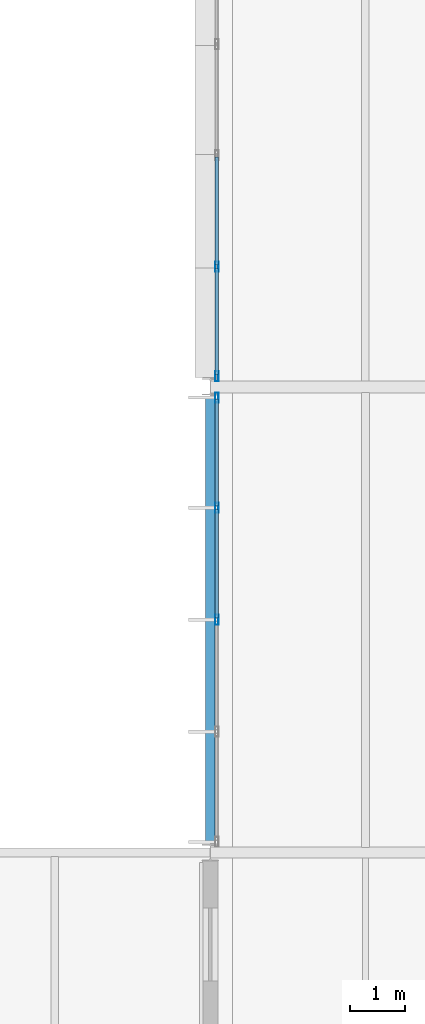
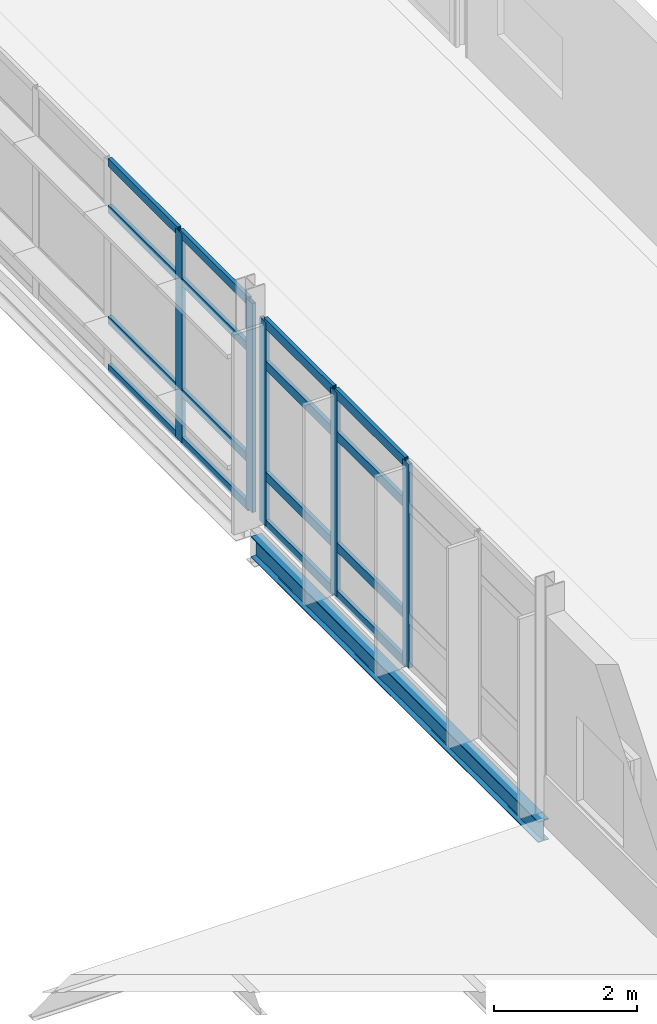
# One storey, part 32 of 66: 21 members, 1 beam, 2 elements without a shape of their own.
"""IFC4 building model written with IfcOpenShell, lengths in metres."""

import ifcopenshell
import ifcopenshell.guid

model = None  # the IFC model being written
_history = None  # IfcOwnerHistory: only IFC2X3 demands one
_inside = {}  # id of a spatial element -> (the spatial element, [elements in it])
_under = {}  # id of a project, library or spatial element -> (it, [spatial elements below it])
_declared = {}  # id of a project -> (the project, [libraries it declares])
_typed = {}  # id of a type object -> (the type object, [elements of that type])
_made_of = {}  # id of a material, layer set ... -> (it, [elements and type objects made of it])


def new_model(schema):
    """Start an empty IFC model of exactly this schema.

    Asked for "IFC4X3", IfcOpenShell would pick the latest addendum, in which some entities
    have other attributes; the version numbers below select the first issue.
    IFC2X3 requires an IfcOwnerHistory on every rooted entity: one is made here for all.
    """
    global model, _history
    if schema == "IFC4X3":
        model = ifcopenshell.file(schema_version=(4, 3, 0, 0))
    else:
        model = ifcopenshell.file(schema=schema)
    _inside.clear()
    _under.clear()
    _declared.clear()
    _typed.clear()
    _made_of.clear()
    _history = None
    if model.schema == "IFC2X3":
        org = make("IfcOrganization", Name="unknown")
        user = make(
            "IfcPersonAndOrganization",
            ThePerson=make("IfcPerson", FamilyName="unknown"),
            TheOrganization=org,
        )
        app = make(
            "IfcApplication",
            ApplicationDeveloper=org,
            Version="unknown",
            ApplicationFullName="unknown",
            ApplicationIdentifier="unknown",
        )
        _history = make(
            "IfcOwnerHistory",
            OwningUser=user,
            OwningApplication=app,
            ChangeAction="ADDED",
            CreationDate=0,
        )
    return model


def make(cls, **values):
    """One entity of the class cls with the attributes given. An attribute that is None is left unset."""
    return model.create_entity(
        cls, **{name: value for name, value in values.items() if value is not None}
    )


def rooted(cls, **values):
    """An entity with a GlobalId (a new one), such as an element, a storey or a relation."""
    return make(cls, GlobalId=ifcopenshell.guid.new(), OwnerHistory=_history, **values)


def si_unit(unit_type, name, prefix=None):
    """IfcSIUnit, for example si_unit("LENGTHUNIT", "METRE", prefix="MILLI")."""
    return make("IfcSIUnit", UnitType=unit_type, Prefix=prefix, Name=name)


def assignment(units):
    """IfcUnitAssignment: the units of a project."""
    return None if units is None else make("IfcUnitAssignment", Units=units)


def point(xyz):
    """IfcCartesianPoint."""
    return None if xyz is None else make("IfcCartesianPoint", Coordinates=xyz)


def direction(xyz):
    """IfcDirection."""
    return None if xyz is None else make("IfcDirection", DirectionRatios=xyz)


def frame(location, z_axis=None, x_axis=None):
    """IfcAxis2Placement3D, a coordinate frame: its origin and axes. An axis left out is left unset."""
    return make(
        "IfcAxis2Placement3D",
        Location=point(location),
        Axis=direction(z_axis),
        RefDirection=direction(x_axis),
    )


def frame_2d(location, x_axis=None):
    """IfcAxis2Placement2D, a coordinate frame in the plane: its origin and x axis."""
    return make(
        "IfcAxis2Placement2D", Location=point(location), RefDirection=direction(x_axis)
    )


def origin():
    """The frame at (0, 0, 0) with its axes left unset."""
    return frame((0.0, 0.0, 0.0))


def origin_2d():
    """The frame at (0, 0) in the plane with its x axis left unset."""
    return frame_2d((0.0, 0.0))


def place(relative_to, where):
    """IfcLocalPlacement: puts the frame where relative to a parent placement (None: the world)."""
    return make(
        "IfcLocalPlacement", PlacementRelTo=relative_to, RelativePlacement=where
    )


def context(
    kind, dimensions, precision=None, world=None, true_north=None, identifier=None
):
    """IfcGeometricRepresentationContext, for example the 3D "Model" context."""
    return make(
        "IfcGeometricRepresentationContext",
        ContextIdentifier=identifier,
        ContextType=kind,
        CoordinateSpaceDimension=dimensions,
        Precision=precision,
        WorldCoordinateSystem=world,
        TrueNorth=true_north,
    )


def subcontext(parent, identifier, kind, view, scale=None):
    """IfcGeometricRepresentationSubContext, for example "Body" below "Model"."""
    return make(
        "IfcGeometricRepresentationSubContext",
        ContextIdentifier=identifier,
        ContextType=kind,
        ParentContext=parent,
        TargetScale=scale,
        TargetView=view,
    )


def project(units=None, contexts=None):
    """IfcProject with its units and contexts."""
    return rooted(
        "IfcProject",
        Name="project",
        RepresentationContexts=contexts,
        UnitsInContext=assignment(units),
    )


def spatial(cls, under=None, at=None, **own):
    """A site, building, storey or space (cls), placed at a placement, below another one or the project."""
    s = rooted(cls, ObjectPlacement=at, **own)
    if under is not None:
        _under.setdefault(under.id(), (under, []))[1].append(s)
    return s


def profile(cls, at=None, kind="AREA", **sizes):
    """A parametric profile (cls). Its sizes go by their IFC names, for example OverallWidth=200.0."""
    return make(cls, ProfileType=kind, Position=at, **sizes)


def hollow_rectangle(**sizes):
    """IfcRectangleHollowProfileDef."""
    return profile("IfcRectangleHollowProfileDef", **sizes)


def i_section(**sizes):
    """IfcIShapeProfileDef."""
    return profile("IfcIShapeProfileDef", **sizes)


def extrude(swept, where, along, depth):
    """IfcExtrudedAreaSolid: the profile swept, set in the frame where, extruded along a direction by depth."""
    return make(
        "IfcExtrudedAreaSolid",
        SweptArea=swept,
        Position=where,
        ExtrudedDirection=direction(along),
        Depth=depth,
    )


def shape(context_of_items, identifier, shape_type, items):
    """IfcShapeRepresentation: the items that make up one representation, for example the "Body"."""
    return make(
        "IfcShapeRepresentation",
        ContextOfItems=context_of_items,
        RepresentationIdentifier=identifier,
        RepresentationType=shape_type,
        Items=items,
    )


def material(Name=None, Category=None):
    """IfcMaterial."""
    return make("IfcMaterial", Name=Name, Category=Category)


def material_profile(
    of_material, cross_section, Name=None, Category=None, Priority=None
):
    """IfcMaterialProfile: a cross section and its material."""
    return make(
        "IfcMaterialProfile",
        Name=Name,
        Material=of_material,
        Profile=cross_section,
        Priority=Priority,
        Category=Category,
    )


def profile_set(profiles, Name=None, composite=None):
    """IfcMaterialProfileSet."""
    return make(
        "IfcMaterialProfileSet",
        Name=Name,
        MaterialProfiles=profiles,
        CompositeProfile=composite,
    )


def made_of(thing, what):
    """Note that an element or type object is made of a material, layer set ...; save() writes the relation."""
    if what is not None:
        _made_of.setdefault(what.id(), (what, []))[1].append(thing)
    return thing


def type_object(cls, material=None, **own):
    """A type object (cls), such as IfcWallType, which elements share."""
    return made_of(rooted(cls, **own), material)


def element(
    cls,
    number,
    at=None,
    inside=None,
    cuts=None,
    type_object=None,
    material=None,
    context=None,
    identifier="Body",
    shape_type=None,
    held_by="IfcProductDefinitionShape",
    body=None,
    shapes=None,
    **own,
):
    """One element of the class cls, such as IfcWall. Its Tag is "e" and its number.

    at: its placement. inside: the storey or other place that contains it. cuts: it is an
    opening in that element (IfcRelVoidsElement). A single representation is given by context,
    identifier, shape_type and body (its items); several are given by shapes. held_by: the class
    of the entity that holds the representations. save() writes the other relations.
    """
    e = rooted(cls, Tag="e%d" % number, ObjectPlacement=at, **own)
    if body is not None:
        shapes = [shape(context, identifier, shape_type, body)]
    if shapes is not None:
        e.Representation = make(held_by, Representations=shapes)
    if inside is not None:
        _inside.setdefault(inside.id(), (inside, []))[1].append(e)
    if cuts is not None:
        rooted(
            "IfcRelVoidsElement", RelatingBuildingElement=cuts, RelatedOpeningElement=e
        )
    if type_object is not None:
        _typed.setdefault(type_object.id(), (type_object, []))[1].append(e)
    return made_of(e, material)


def aggregate(whole, parts):
    """IfcRelAggregates: a whole, such as a stair, and the parts it consists of."""
    return rooted("IfcRelAggregates", RelatingObject=whole, RelatedObjects=parts)


def save(model, path):
    """Write the relations noted so far, then the file.

    IfcRelAggregates (storeys below a building ...), IfcRelContainedInSpatialStructure (elements
    in a storey), IfcRelDefinesByType, IfcRelAssociatesMaterial and IfcRelDeclares: one each for
    every whole, place, type object, material and project.
    """
    for whole, parts in _under.values():
        aggregate(whole, parts)
    for where, things in _inside.values():
        rooted(
            "IfcRelContainedInSpatialStructure",
            RelatedElements=things,
            RelatingStructure=where,
        )
    for kind, things in _typed.values():
        rooted("IfcRelDefinesByType", RelatedObjects=things, RelatingType=kind)
    for what, things in _made_of.values():
        rooted("IfcRelAssociatesMaterial", RelatedObjects=things, RelatingMaterial=what)
    for by, libraries in _declared.values():
        rooted("IfcRelDeclares", RelatingContext=by, RelatedDefinitions=libraries)
    model.write(path)


model = new_model("IFC4")

# Units and contexts
model_context = context("Model", 3, precision=1e-05, world=origin(), true_north=direction((0.0, 1.0)))
body_context = subcontext(model_context, "Body", "Model", "MODEL_VIEW")
ifc_project = project(units=[si_unit("LENGTHUNIT", "METRE"), si_unit("AREAUNIT", "SQUARE_METRE"), si_unit("VOLUMEUNIT", "CUBIC_METRE"), si_unit("PLANEANGLEUNIT", "RADIAN"), si_unit("MASSUNIT", "GRAM", prefix="KILO")], contexts=[model_context])

# Site, building, storey
site_placement = place(None, origin())
site = spatial("IfcSite", under=ifc_project, at=site_placement, CompositionType="ELEMENT")
building_placement = place(site_placement, origin())
building = spatial("IfcBuilding", under=site, at=building_placement, Name="Mersafa Astral City Hall", CompositionType="ELEMENT")
storey_placement = place(building_placement, frame((0.0, 0.0, 22.050048828125)))
storey = spatial("IfcBuildingStorey", under=building, at=storey_placement, Name="L05", CompositionType="ELEMENT", Elevation=22.050048828125)

# Curtain wall, members
ifc_material_1 = material(Name="Anodised bronze aluminium framing", Category="aluminium")
curtain_wall_type_1 = type_object("IfcCurtainWallType", Name="ENV-CW-6", PredefinedType="USERDEFINED", material=ifc_material_1)
curtain_wall_1_placement = place(storey_placement, origin())
curtain_wall_1 = element("IfcCurtainWall", 1, at=curtain_wall_1_placement, inside=storey, type_object=curtain_wall_type_1, Name="L05 Unitised solar curtain wall 245", ObjectType="UNITISED CURTAIN WALL", PredefinedType="USERDEFINED")
ifc_material_profile_1 = material_profile(ifc_material_1, hollow_rectangle(XDim=0.06005859375, YDim=0.179931640625, WallThickness=0.00390625, at=origin_2d()), Name="RHS 60x180x4")
ifc_profile_set_1 = profile_set([ifc_material_profile_1], Name="Anodised bronze aluminium framing")
member_type_1 = type_object("IfcMemberType", Name="ENV-CW-MUL-1", PredefinedType="MULLION", material=ifc_profile_set_1)
member_1_placement = place(storey_placement, frame((168.1201171875, 94.568603515625, -0.001953125), z_axis=(0.0, 0.0, 1.0), x_axis=(1.0, 0.0, 0.0)))
member_1 = element("IfcMember", 2, at=member_1_placement, type_object=member_type_1, Name="CW-6 mullion 4", PredefinedType="MULLION", context=body_context, shape_type="SweptSolid", body=[
    extrude(hollow_rectangle(XDim=0.06005859375, YDim=0.179931640625, WallThickness=0.00390625, at=origin_2d()), origin(), (0.0, 0.0, 1.0), 3.578857421875),
])
member_2_placement = place(storey_placement, frame((168.1201171875, 92.592041015625, -0.001953125), z_axis=(0.0, 0.0, 1.0), x_axis=(1.0, 0.0, 0.0)))
member_2 = element("IfcMember", 3, at=member_2_placement, type_object=member_type_1, Name="CW-6 mullion 5", PredefinedType="MULLION", context=body_context, shape_type="SweptSolid", body=[
    extrude(hollow_rectangle(XDim=0.06005859375, YDim=0.179931640625, WallThickness=0.00390625, at=origin_2d()), origin(), (0.0, 0.0, 1.0), 3.578857421875),
])

curtain_wall_type_2 = type_object("IfcCurtainWallType", Name="ENV-CW-1", PredefinedType="USERDEFINED", material=ifc_material_1)
curtain_wall_2_placement = place(storey_placement, origin())
curtain_wall_2 = element("IfcCurtainWall", 4, at=curtain_wall_2_placement, inside=storey, type_object=curtain_wall_type_2, Name="L05 Unitised solar curtain wall 246", ObjectType="UNITISED CURTAIN WALL", PredefinedType="USERDEFINED")
member_3_placement = place(storey_placement, frame((168.1201171875, 92.2080078125, -0.001953125), z_axis=(0.0, 0.0, 1.0), x_axis=(1.0, 0.0, 0.0)))
member_3 = element("IfcMember", 5, at=member_3_placement, type_object=member_type_1, Name="CW-1 mullion 1", PredefinedType="MULLION", context=body_context, shape_type="SweptSolid", body=[
    extrude(hollow_rectangle(XDim=0.06005859375, YDim=0.179931640625, WallThickness=0.00390625, at=origin_2d()), origin(), (0.0, 0.0, 1.0), 3.489013671875),
])
member_4_placement = place(storey_placement, frame((168.1201171875, 90.218994140625, -0.001953125), z_axis=(0.0, 0.0, 1.0), x_axis=(1.0, 0.0, 0.0)))
member_4 = element("IfcMember", 6, at=member_4_placement, type_object=member_type_1, Name="CW-1 mullion 2", PredefinedType="MULLION", context=body_context, shape_type="SweptSolid", body=[
    extrude(hollow_rectangle(XDim=0.06005859375, YDim=0.179931640625, WallThickness=0.00390625, at=origin_2d()), origin(), (0.0, 0.0, 1.0), 3.489013671875),
])
member_5_placement = place(storey_placement, frame((168.1201171875, 88.199951171875, -0.001953125), z_axis=(0.0, 0.0, 1.0), x_axis=(1.0, 0.0, 0.0)))
member_5 = element("IfcMember", 7, at=member_5_placement, type_object=member_type_1, Name="CW-1 mullion 3", PredefinedType="MULLION", context=body_context, shape_type="SweptSolid", body=[
    extrude(hollow_rectangle(XDim=0.06005859375, YDim=0.179931640625, WallThickness=0.00390625, at=origin_2d()), origin(), (0.0, 0.0, 1.0), 3.489013671875),
])

# Member
ifc_material_profile_2 = material_profile(ifc_material_1, hollow_rectangle(XDim=0.06005859375, YDim=0.139892578125, WallThickness=0.00390625, at=origin_2d()), Name="RHS 60x140x4")
ifc_profile_set_2 = profile_set([ifc_material_profile_2], Name="Anodised bronze aluminium framing")
member_type_2 = type_object("IfcMemberType", Name="ENV-CW-TRN-1", PredefinedType="USERDEFINED", material=ifc_profile_set_2)
member_6_placement = place(storey_placement, frame((168.1201171875, 96.544921875, 0.02783203125), z_axis=(0.0, -1.0, 0.0), x_axis=(1.0, 0.0, 0.0)))
member_6 = element("IfcMember", 8, at=member_6_placement, type_object=member_type_2, Name="CW-6 transom 3.1", ObjectType="TRANSOM", PredefinedType="USERDEFINED", context=body_context, shape_type="SweptSolid", body=[
    extrude(hollow_rectangle(XDim=0.06005859375, YDim=0.139892578125, WallThickness=0.00390625, at=origin_2d()), origin(), (0.0, 0.0, 1.0), 1.946533203125),
])

member_7_placement = place(storey_placement, frame((168.1201171875, 96.544921875, 0.849853515625), z_axis=(0.0, -1.0, 0.0), x_axis=(1.0, 0.0, 0.0)))
member_7 = element("IfcMember", 9, at=member_7_placement, type_object=member_type_2, Name="CW-6 transom 3.2", ObjectType="TRANSOM", PredefinedType="USERDEFINED", context=body_context, shape_type="SweptSolid", body=[
    extrude(hollow_rectangle(XDim=0.06005859375, YDim=0.139892578125, WallThickness=0.00390625, at=origin_2d()), origin(), (0.0, 0.0, 1.0), 1.946533203125),
])

member_8_placement = place(storey_placement, frame((168.1201171875, 96.544921875, 2.75), z_axis=(0.0, -1.0, 0.0), x_axis=(1.0, 0.0, 0.0)))
member_8 = element("IfcMember", 10, at=member_8_placement, type_object=member_type_2, Name="CW-6 transom 3.3", ObjectType="TRANSOM", PredefinedType="USERDEFINED", context=body_context, shape_type="SweptSolid", body=[
    extrude(hollow_rectangle(XDim=0.06005859375, YDim=0.139892578125, WallThickness=0.00390625, at=origin_2d()), origin(), (0.0, 0.0, 1.0), 1.946533203125),
])

member_9_placement = place(storey_placement, frame((168.1201171875, 96.544921875, 3.546875), z_axis=(0.0, -1.0, 0.0), x_axis=(1.0, 0.0, 0.0)))
member_9 = element("IfcMember", 11, at=member_9_placement, type_object=member_type_2, Name="CW-6 transom 3.4", ObjectType="TRANSOM", PredefinedType="USERDEFINED", context=body_context, shape_type="SweptSolid", body=[
    extrude(hollow_rectangle(XDim=0.06005859375, YDim=0.139892578125, WallThickness=0.00390625, at=origin_2d()), origin(), (0.0, 0.0, 1.0), 1.946533203125),
])

member_10_placement = place(storey_placement, frame((168.1201171875, 94.53857421875, 0.02783203125), z_axis=(0.0, -1.0, 0.0), x_axis=(1.0, 0.0, 0.0)))
member_10 = element("IfcMember", 12, at=member_10_placement, type_object=member_type_2, Name="CW-6 transom 4.1", ObjectType="TRANSOM", PredefinedType="USERDEFINED", context=body_context, shape_type="SweptSolid", body=[
    extrude(hollow_rectangle(XDim=0.06005859375, YDim=0.139892578125, WallThickness=0.00390625, at=origin_2d()), origin(), (0.0, 0.0, 1.0), 1.91650390625),
])

member_11_placement = place(storey_placement, frame((168.1201171875, 94.53857421875, 0.849853515625), z_axis=(0.0, -1.0, 0.0), x_axis=(1.0, 0.0, 0.0)))
member_11 = element("IfcMember", 13, at=member_11_placement, type_object=member_type_2, Name="CW-6 transom 4.2", ObjectType="TRANSOM", PredefinedType="USERDEFINED", context=body_context, shape_type="SweptSolid", body=[
    extrude(hollow_rectangle(XDim=0.06005859375, YDim=0.139892578125, WallThickness=0.00390625, at=origin_2d()), origin(), (0.0, 0.0, 1.0), 1.91650390625),
])

member_12_placement = place(storey_placement, frame((168.1201171875, 94.53857421875, 2.75), z_axis=(0.0, -1.0, 0.0), x_axis=(1.0, 0.0, 0.0)))
member_12 = element("IfcMember", 14, at=member_12_placement, type_object=member_type_2, Name="CW-6 transom 4.3", ObjectType="TRANSOM", PredefinedType="USERDEFINED", context=body_context, shape_type="SweptSolid", body=[
    extrude(hollow_rectangle(XDim=0.06005859375, YDim=0.139892578125, WallThickness=0.00390625, at=origin_2d()), origin(), (0.0, 0.0, 1.0), 1.91650390625),
])

member_13_placement = place(storey_placement, frame((168.1201171875, 94.53857421875, 3.546875), z_axis=(0.0, -1.0, 0.0), x_axis=(1.0, 0.0, 0.0)))
member_13 = element("IfcMember", 15, at=member_13_placement, type_object=member_type_2, Name="CW-6 transom 4.4", ObjectType="TRANSOM", PredefinedType="USERDEFINED", context=body_context, shape_type="SweptSolid", body=[
    extrude(hollow_rectangle(XDim=0.06005859375, YDim=0.139892578125, WallThickness=0.00390625, at=origin_2d()), origin(), (0.0, 0.0, 1.0), 1.91650390625),
])

aggregate(curtain_wall_1, [member_1, member_2, member_6, member_7, member_8, member_9, member_10, member_11, member_12, member_13])

ifc_material_profile_3 = material_profile(ifc_material_1, hollow_rectangle(XDim=0.06005859375, YDim=0.159912109375, WallThickness=0.00390625, at=origin_2d()), Name="RHS 60x160x4")
ifc_profile_set_3 = profile_set([ifc_material_profile_3], Name="Anodised bronze aluminium framing")
member_type_3 = type_object("IfcMemberType", Name="ENV-CW-TRN-2", PredefinedType="USERDEFINED", material=ifc_profile_set_3)
member_14_placement = place(storey_placement, frame((168.1201171875, 92.177978515625, 0.02783203125), z_axis=(0.0, -1.0, 0.0), x_axis=(1.0, 0.0, 0.0)))
member_14 = element("IfcMember", 16, at=member_14_placement, type_object=member_type_3, Name="CW-1 transom 1.1", ObjectType="TRANSOM", PredefinedType="USERDEFINED", context=body_context, shape_type="SweptSolid", body=[
    extrude(hollow_rectangle(XDim=0.06005859375, YDim=0.159912109375, WallThickness=0.00390625, at=origin_2d()), origin(), (0.0, 0.0, 1.0), 1.928955078125),
])

member_15_placement = place(storey_placement, frame((168.1201171875, 92.177978515625, 0.849853515625), z_axis=(0.0, -1.0, 0.0), x_axis=(1.0, 0.0, 0.0)))
member_15 = element("IfcMember", 17, at=member_15_placement, type_object=member_type_3, Name="CW-1 transom 1.2", ObjectType="TRANSOM", PredefinedType="USERDEFINED", context=body_context, shape_type="SweptSolid", body=[
    extrude(hollow_rectangle(XDim=0.06005859375, YDim=0.159912109375, WallThickness=0.00390625, at=origin_2d()), origin(), (0.0, 0.0, 1.0), 1.928955078125),
])

member_16_placement = place(storey_placement, frame((168.1201171875, 92.177978515625, 2.75), z_axis=(0.0, -1.0, 0.0), x_axis=(1.0, 0.0, 0.0)))
member_16 = element("IfcMember", 18, at=member_16_placement, type_object=member_type_3, Name="CW-1 transom 1.3", ObjectType="TRANSOM", PredefinedType="USERDEFINED", context=body_context, shape_type="SweptSolid", body=[
    extrude(hollow_rectangle(XDim=0.06005859375, YDim=0.159912109375, WallThickness=0.00390625, at=origin_2d()), origin(), (0.0, 0.0, 1.0), 1.928955078125),
])

member_17_placement = place(storey_placement, frame((168.1201171875, 92.177978515625, 3.45703125), z_axis=(0.0, -1.0, 0.0), x_axis=(1.0, 0.0, 0.0)))
member_17 = element("IfcMember", 19, at=member_17_placement, type_object=member_type_3, Name="CW-1 transom 1.4", ObjectType="TRANSOM", PredefinedType="USERDEFINED", context=body_context, shape_type="SweptSolid", body=[
    extrude(hollow_rectangle(XDim=0.06005859375, YDim=0.159912109375, WallThickness=0.00390625, at=origin_2d()), origin(), (0.0, 0.0, 1.0), 1.928955078125),
])

member_18_placement = place(storey_placement, frame((168.1201171875, 90.18896484375, 0.02783203125), z_axis=(0.0, -1.0, 0.0), x_axis=(1.0, 0.0, 0.0)))
member_18 = element("IfcMember", 20, at=member_18_placement, type_object=member_type_3, Name="CW-1 transom 2.1", ObjectType="TRANSOM", PredefinedType="USERDEFINED", context=body_context, shape_type="SweptSolid", body=[
    extrude(hollow_rectangle(XDim=0.06005859375, YDim=0.159912109375, WallThickness=0.00390625, at=origin_2d()), origin(), (0.0, 0.0, 1.0), 1.958984375),
])

member_19_placement = place(storey_placement, frame((168.1201171875, 90.18896484375, 0.849853515625), z_axis=(0.0, -1.0, 0.0), x_axis=(1.0, 0.0, 0.0)))
member_19 = element("IfcMember", 21, at=member_19_placement, type_object=member_type_3, Name="CW-1 transom 2.2", ObjectType="TRANSOM", PredefinedType="USERDEFINED", context=body_context, shape_type="SweptSolid", body=[
    extrude(hollow_rectangle(XDim=0.06005859375, YDim=0.159912109375, WallThickness=0.00390625, at=origin_2d()), origin(), (0.0, 0.0, 1.0), 1.958984375),
])

member_20_placement = place(storey_placement, frame((168.1201171875, 90.18896484375, 2.75), z_axis=(0.0, -1.0, 0.0), x_axis=(1.0, 0.0, 0.0)))
member_20 = element("IfcMember", 22, at=member_20_placement, type_object=member_type_3, Name="CW-1 transom 2.3", ObjectType="TRANSOM", PredefinedType="USERDEFINED", context=body_context, shape_type="SweptSolid", body=[
    extrude(hollow_rectangle(XDim=0.06005859375, YDim=0.159912109375, WallThickness=0.00390625, at=origin_2d()), origin(), (0.0, 0.0, 1.0), 1.958984375),
])

member_21_placement = place(storey_placement, frame((168.1201171875, 90.18896484375, 3.45703125), z_axis=(0.0, -1.0, 0.0), x_axis=(1.0, 0.0, 0.0)))
member_21 = element("IfcMember", 23, at=member_21_placement, type_object=member_type_3, Name="CW-1 transom 2.4", ObjectType="TRANSOM", PredefinedType="USERDEFINED", context=body_context, shape_type="SweptSolid", body=[
    extrude(hollow_rectangle(XDim=0.06005859375, YDim=0.159912109375, WallThickness=0.00390625, at=origin_2d()), origin(), (0.0, 0.0, 1.0), 1.958984375),
])

aggregate(curtain_wall_2, [member_3, member_4, member_5, member_14, member_15, member_16, member_17, member_18, member_19, member_20, member_21])

# Beam
ifc_material_2 = material(Name="Steel S355", Category="steel")
ifc_material_profile_4 = material_profile(ifc_material_2, i_section(OverallWidth=0.169921875, OverallDepth=0.360107421875, WebThickness=0.008056640625, FlangeThickness=0.0126953125, FilletRadius=0.01806640625, at=origin_2d()), Name="IPE 360")
ifc_profile_set_4 = profile_set([ifc_material_profile_4], Name="Steel S355")
beam_type = type_object("IfcBeamType", Name="STR-BM-SPANDREL-IPE360", PredefinedType="SPANDREL", material=ifc_profile_set_4)
beam_placement = place(storey_placement, frame((168.0, 84.175048828125, -0.360107421875), z_axis=(0.0, 1.0, 0.0), x_axis=(-1.0, 0.0, 0.0)))
element("IfcBeam", 24, at=beam_placement, inside=storey, type_object=beam_type, Name="L05 Primary girder Y 20-10", PredefinedType="SPANDREL", context=body_context, shape_type="SweptSolid", body=[
    extrude(i_section(OverallWidth=0.169921875, OverallDepth=0.360107421875, WebThickness=0.008056640625, FlangeThickness=0.0126953125, FilletRadius=0.01806640625, at=origin_2d()), origin(), (0.0, 0.0, 1.0), 8.06005859375),
])

save(model, "model.ifc")
